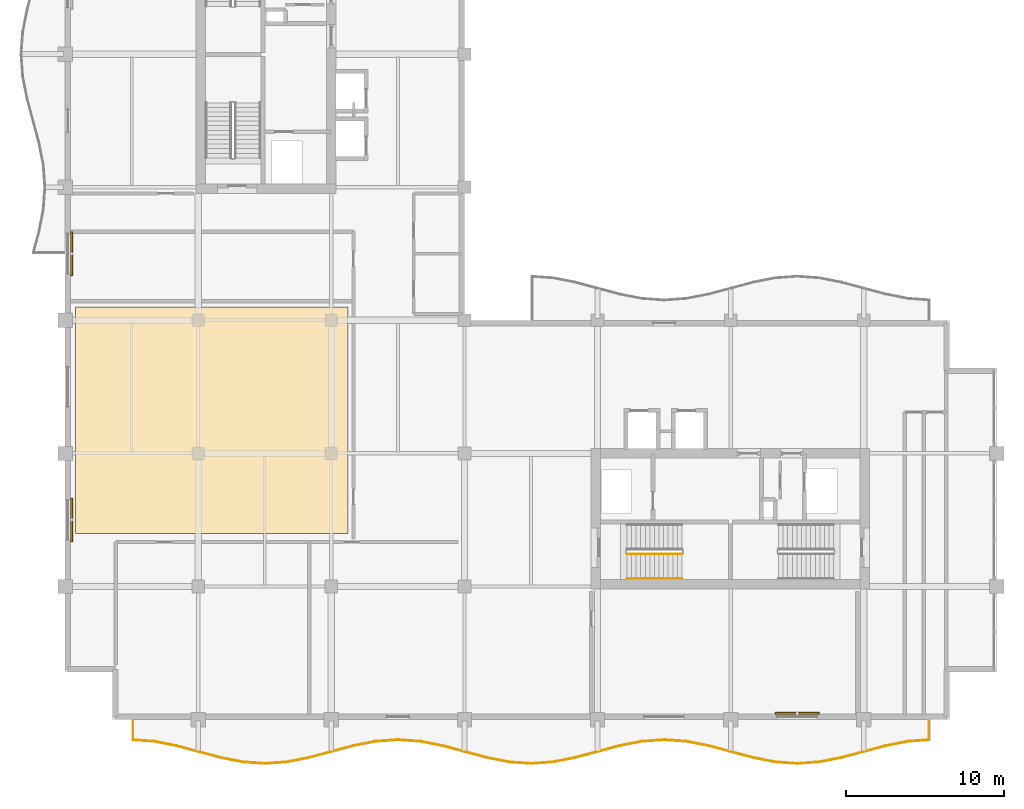
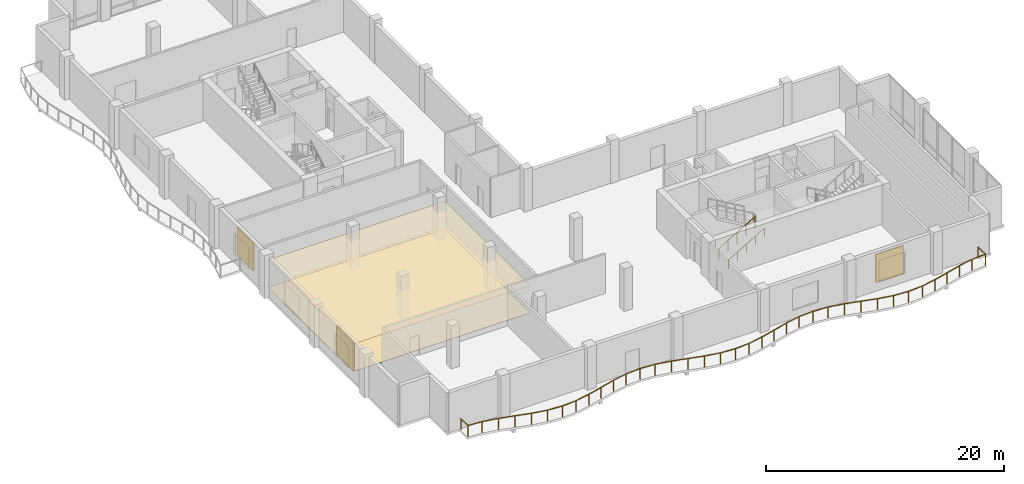
# One storey, part 13 of 15: 3 railings, 3 shading devices, 2 coverings.
"""IFC4 building model written with IfcOpenShell, lengths in metres."""

from ifc_helpers import new_model, si_unit, direction, frame, origin, origin_2d, place, context, subcontext, project, spatial, polyline, rectangle, circle, outline, extrude, material, layer, layer_set, type_object, element, save


model = new_model("IFC4")

# Units and contexts
model_context = context("Model", 3, precision=1e-05, world=origin(), true_north=direction((0.0, 1.0)))
body_context = subcontext(model_context, "Body", "Model", "MODEL_VIEW")
ifc_project = project(units=[si_unit("LENGTHUNIT", "METRE"), si_unit("AREAUNIT", "SQUARE_METRE"), si_unit("VOLUMEUNIT", "CUBIC_METRE"), si_unit("PLANEANGLEUNIT", "RADIAN"), si_unit("MASSUNIT", "GRAM", prefix="KILO")], contexts=[model_context])

# Site, building, storey
site_placement = place(None, origin())
site = spatial("IfcSite", under=ifc_project, at=site_placement, CompositionType="ELEMENT")
building_placement = place(site_placement, origin())
building = spatial("IfcBuilding", under=site, at=building_placement, Name="Koriwani Terraces Tower", CompositionType="ELEMENT")
storey_placement = place(building_placement, frame((0.0, 0.0, 290.39990234375)))
storey = spatial("IfcBuildingStorey", under=building, at=storey_placement, Name="L72", CompositionType="ELEMENT", Elevation=290.39990234375)

# Coverings
ifc_material_1 = material(Name="Fire-Rated Acoustic Gypsum Partition", Category="masonry")
ifc_layer_1 = layer(ifc_material_1, 0.02490234375, Name="Fire-Rated Acoustic Gypsum Partition")
ifc_layer_set_1 = layer_set([ifc_layer_1], Name="Fire-Rated Acoustic Gypsum Partition")
covering_type_1 = type_object("IfcCoveringType", Name="CEILING_ACOUSTIC_GYPSUM", PredefinedType="CEILING", material=ifc_layer_set_1)
covering_1_placement = place(storey_placement, frame((0.0, 0.0, 2.8251953125)))
element("IfcCovering", 1, at=covering_1_placement, inside=storey, type_object=covering_type_1, Name="L72 Suspended Acoustic Gypsum Ceiling", PredefinedType="CEILING", context=body_context, shape_type="SweptSolid", body=[
    extrude(outline(polyline([(9.050048828125, 20.14990234375), (9.050048828125, 34.449951171875), (26.25, 34.449951171875), (26.25, 20.14990234375), (9.050048828125, 20.14990234375)])), origin(), (0.0, 0.0, 1.0), 0.02490234375),
])
ifc_material_2 = material(Name="Polished Andean Slate Flooring", Category="masonry")
ifc_layer_2 = layer(ifc_material_2, 0.030029296875, Name="Polished Andean Slate Flooring")
ifc_layer_set_2 = layer_set([ifc_layer_2], Name="Polished Andean Slate Flooring")
covering_type_2 = type_object("IfcCoveringType", Name="FLOORING_ANDEAN_STONE", PredefinedType="FLOORING", material=ifc_layer_set_2)
covering_2_placement = place(storey_placement, origin())
element("IfcCovering", 2, at=covering_2_placement, inside=storey, type_object=covering_type_2, Name="L72 Polished Andean Slate Floor Finish", PredefinedType="FLOORING", context=body_context, shape_type="SweptSolid", body=[
    extrude(outline(polyline([(9.050048828125, 20.14990234375), (9.050048828125, 34.449951171875), (26.25, 34.449951171875), (26.25, 20.14990234375), (9.050048828125, 20.14990234375)])), origin(), (0.0, 0.0, 1.0), 0.030029296875),
])

# Railings
ifc_material_3 = material(Name="Steel ASTM A572 Grade 50", Category="steel")
railing_type_1 = type_object("IfcRailingType", Name="GUARD_BALUSTRADE_1150", PredefinedType="BALUSTRADE", material=ifc_material_3)
railing_1_placement = place(storey_placement, frame((12.679931640625, 8.320068359375, 0.0)))
element("IfcRailing", 3, at=railing_1_placement, inside=storey, type_object=railing_type_1, Name="L72 Balcony Perimeter Safety Balustrade (S)", PredefinedType="BALUSTRADE", context=body_context, shape_type="SweptSolid", body=[
    extrude(circle(Radius=0.02392578125, at=origin_2d()), frame((0.0, 0.0, 1.1259765625), z_axis=(0.0, -1.0, 0.0), x_axis=(1.0, 0.0, 0.0)), (0.0, 0.0, 1.0), 1.195556640625),
    extrude(circle(Radius=0.02392578125, at=origin_2d()), frame((0.0, -1.195556640625, 1.1259765625), z_axis=(0.997410163072, -0.071923338365, 0.0), x_axis=(0.071923338365, 0.997410163072, 0.0)), (0.0, 0.0, 1.0), 1.333984375),
    extrude(circle(Radius=0.02392578125, at=origin_2d()), frame((1.33056640625, -1.29150390625, 1.1259765625), z_axis=(0.981358469957, -0.192186246762, 0.0), x_axis=(0.192186246762, 0.981358469957, 0.0)), (0.0, 0.0, 1.0), 1.434326171875),
    extrude(circle(Radius=0.02392578125, at=origin_2d()), frame((2.738037109375, -1.567138671875, 1.1259765625), z_axis=(0.96594917914, -0.258731875344, 0.0), x_axis=(0.258731875344, 0.96594917914, 0.0)), (0.0, 0.0, 1.0), 2.898681640625),
    extrude(circle(Radius=0.02392578125, at=origin_2d()), frame((5.5380859375, -2.317138671875, 1.1259765625), z_axis=(0.981327760125, -0.192342993657, 0.0), x_axis=(0.192342993657, 0.981327760125, 0.0)), (0.0, 0.0, 1.0), 1.419189453125),
    extrude(circle(Radius=0.02392578125, at=origin_2d()), frame((6.9306640625, -2.590087890625, 1.1259765625), z_axis=(0.997427466293, -0.07168297904, 0.0), x_axis=(0.07168297904, 0.997427466293, 0.0)), (0.0, 0.0, 1.0), 1.39306640625),
    extrude(circle(Radius=0.02392578125, at=origin_2d()), frame((8.320068359375, -2.68994140625, 1.1259765625), z_axis=(0.997427466293, 0.07168297904, 0.0), x_axis=(-0.07168297904, 0.997427466293, 0.0)), (0.0, 0.0, 1.0), 1.39306640625),
    extrude(circle(Radius=0.02392578125, at=origin_2d()), frame((9.70947265625, -2.590087890625, 1.1259765625), z_axis=(0.981327760125, 0.192342993657, 0.0), x_axis=(-0.192342993657, 0.981327760125, 0.0)), (0.0, 0.0, 1.0), 1.419189453125),
    extrude(circle(Radius=0.02392578125, at=origin_2d()), frame((11.10205078125, -2.317138671875, 1.1259765625), z_axis=(0.96594917914, 0.258731875344, 0.0), x_axis=(-0.258731875344, 0.96594917914, 0.0)), (0.0, 0.0, 1.0), 2.898681640625),
    extrude(circle(Radius=0.02392578125, at=origin_2d()), frame((13.902099609375, -1.567138671875, 1.1259765625), z_axis=(0.981358469957, 0.192186246762, 0.0), x_axis=(-0.192186246762, 0.981358469957, 0.0)), (0.0, 0.0, 1.0), 1.434326171875),
    extrude(circle(Radius=0.02392578125, at=origin_2d()), frame((15.3095703125, -1.29150390625, 1.1259765625), z_axis=(0.997429695692, 0.071651951482, 0.0), x_axis=(-0.071651951482, 0.997429695692, 0.0)), (0.0, 0.0, 1.0), 1.4140625),
    extrude(circle(Radius=0.02392578125, at=origin_2d()), frame((16.719970703125, -1.190185546875, 1.1259765625), z_axis=(0.997430581876, -0.071639614309, 0.0), x_axis=(0.071639614309, 0.997430581876, 0.0)), (0.0, 0.0, 1.0), 1.414306640625),
    extrude(circle(Radius=0.02392578125, at=origin_2d()), frame((18.130615234375, -1.29150390625, 1.1259765625), z_axis=(0.981358469957, -0.192186246762, 0.0), x_axis=(0.192186246762, 0.981358469957, 0.0)), (0.0, 0.0, 1.0), 1.434326171875),
    extrude(circle(Radius=0.02392578125, at=origin_2d()), frame((19.5380859375, -1.567138671875, 1.1259765625), z_axis=(0.96594917914, -0.258731875344, 0.0), x_axis=(0.258731875344, 0.96594917914, 0.0)), (0.0, 0.0, 1.0), 2.898681640625),
    extrude(circle(Radius=0.02392578125, at=origin_2d()), frame((22.338134765625, -2.317138671875, 1.1259765625), z_axis=(0.981327760125, -0.192342993657, 0.0), x_axis=(0.192342993657, 0.981327760125, 0.0)), (0.0, 0.0, 1.0), 1.419189453125),
    extrude(circle(Radius=0.02392578125, at=origin_2d()), frame((23.730712890625, -2.590087890625, 1.1259765625), z_axis=(0.997427466293, -0.07168297904, 0.0), x_axis=(0.07168297904, 0.997427466293, 0.0)), (0.0, 0.0, 1.0), 1.39306640625),
    extrude(circle(Radius=0.02392578125, at=origin_2d()), frame((25.1201171875, -2.68994140625, 1.1259765625), z_axis=(0.997427466293, 0.07168297904, 0.0), x_axis=(-0.07168297904, 0.997427466293, 0.0)), (0.0, 0.0, 1.0), 1.39306640625),
    extrude(circle(Radius=0.02392578125, at=origin_2d()), frame((26.509521484375, -2.590087890625, 1.1259765625), z_axis=(0.981321393675, 0.19237547223, 0.0), x_axis=(-0.19237547223, 0.981321393675, 0.0)), (0.0, 0.0, 1.0), 1.4189453125),
    extrude(circle(Radius=0.02392578125, at=origin_2d()), frame((27.90185546875, -2.317138671875, 1.1259765625), z_axis=(0.965954816498, 0.258710827923, 0.0), x_axis=(-0.258710827923, 0.965954816498, 0.0)), (0.0, 0.0, 1.0), 2.89892578125),
    extrude(circle(Radius=0.02392578125, at=origin_2d()), frame((30.7021484375, -1.567138671875, 1.1259765625), z_axis=(0.981352180954, 0.192218357442, 0.0), x_axis=(-0.192218357442, 0.981352180954, 0.0)), (0.0, 0.0, 1.0), 1.43408203125),
    extrude(circle(Radius=0.02392578125, at=origin_2d()), frame((32.109375, -1.29150390625, 1.1259765625), z_axis=(0.997430581876, 0.071639614309, 0.0), x_axis=(-0.071639614309, 0.997430581876, 0.0)), (0.0, 0.0, 1.0), 1.414306640625),
    extrude(circle(Radius=0.02392578125, at=origin_2d()), frame((33.52001953125, -1.190185546875, 1.1259765625), z_axis=(0.997430581876, -0.071639614309, 0.0), x_axis=(0.071639614309, 0.997430581876, 0.0)), (0.0, 0.0, 1.0), 1.414306640625),
    extrude(circle(Radius=0.02392578125, at=origin_2d()), frame((34.9306640625, -1.29150390625, 1.1259765625), z_axis=(0.981358469957, -0.192186246762, 0.0), x_axis=(0.192186246762, 0.981358469957, 0.0)), (0.0, 0.0, 1.0), 1.434326171875),
    extrude(circle(Radius=0.02392578125, at=origin_2d()), frame((36.338134765625, -1.567138671875, 1.1259765625), z_axis=(0.96594917914, -0.258731875344, 0.0), x_axis=(0.258731875344, 0.96594917914, 0.0)), (0.0, 0.0, 1.0), 2.898681640625),
    extrude(circle(Radius=0.02392578125, at=origin_2d()), frame((39.13818359375, -2.317138671875, 1.1259765625), z_axis=(0.981327760125, -0.192342993657, 0.0), x_axis=(0.192342993657, 0.981327760125, 0.0)), (0.0, 0.0, 1.0), 1.419189453125),
    extrude(circle(Radius=0.02392578125, at=origin_2d()), frame((40.53076171875, -2.590087890625, 1.1259765625), z_axis=(0.997427466293, -0.07168297904, 0.0), x_axis=(0.07168297904, 0.997427466293, 0.0)), (0.0, 0.0, 1.0), 1.39306640625),
    extrude(circle(Radius=0.02392578125, at=origin_2d()), frame((41.920166015625, -2.68994140625, 1.1259765625), z_axis=(0.997427466293, 0.07168297904, 0.0), x_axis=(-0.07168297904, 0.997427466293, 0.0)), (0.0, 0.0, 1.0), 1.39306640625),
    extrude(circle(Radius=0.02392578125, at=origin_2d()), frame((43.3095703125, -2.590087890625, 1.1259765625), z_axis=(0.981321393675, 0.19237547223, 0.0), x_axis=(-0.19237547223, 0.981321393675, 0.0)), (0.0, 0.0, 1.0), 1.4189453125),
    extrude(circle(Radius=0.02392578125, at=origin_2d()), frame((44.701904296875, -2.317138671875, 1.1259765625), z_axis=(0.96594917914, 0.258731875344, 0.0), x_axis=(-0.258731875344, 0.96594917914, 0.0)), (0.0, 0.0, 1.0), 2.898681640625),
    extrude(circle(Radius=0.02392578125, at=origin_2d()), frame((47.501953125, -1.567138671875, 1.1259765625), z_axis=(0.981358469957, 0.192186246762, 0.0), x_axis=(-0.192186246762, 0.981358469957, 0.0)), (0.0, 0.0, 1.0), 1.434326171875),
    extrude(circle(Radius=0.02392578125, at=origin_2d()), frame((48.909423828125, -1.29150390625, 1.1259765625), z_axis=(0.997410163072, 0.071923338365, 0.0), x_axis=(-0.071923338365, 0.997410163072, 0.0)), (0.0, 0.0, 1.0), 1.333984375),
    extrude(circle(Radius=0.02392578125, at=origin_2d()), frame((50.239990234375, -1.195556640625, 1.1259765625), z_axis=(0.0, 1.0, 0.0), x_axis=(-1.0, 0.0, 0.0)), (0.0, 0.0, 1.0), 1.195556640625),
    extrude(circle(Radius=0.02099609375, at=origin_2d()), origin(), (0.0, 0.0, 1.0), 1.101806640625),
    extrude(circle(Radius=0.02099609375, at=origin_2d()), frame((0.0, -1.195556640625, 0.0)), (0.0, 0.0, 1.0), 1.101806640625),
    extrude(circle(Radius=0.02099609375, at=origin_2d()), frame((1.33056640625, -1.29150390625, 0.0)), (0.0, 0.0, 1.0), 1.101806640625),
    extrude(circle(Radius=0.02099609375, at=origin_2d()), frame((2.738037109375, -1.567138671875, 0.0)), (0.0, 0.0, 1.0), 1.101806640625),
    extrude(circle(Radius=0.02099609375, at=origin_2d()), frame((4.13818359375, -1.942138671875, 0.0)), (0.0, 0.0, 1.0), 1.101806640625),
    extrude(circle(Radius=0.02099609375, at=origin_2d()), frame((5.5380859375, -2.317138671875, 0.0)), (0.0, 0.0, 1.0), 1.101806640625),
    extrude(circle(Radius=0.02099609375, at=origin_2d()), frame((6.9306640625, -2.590087890625, 0.0)), (0.0, 0.0, 1.0), 1.101806640625),
    extrude(circle(Radius=0.02099609375, at=origin_2d()), frame((8.320068359375, -2.68994140625, 0.0)), (0.0, 0.0, 1.0), 1.101806640625),
    extrude(circle(Radius=0.02099609375, at=origin_2d()), frame((9.70947265625, -2.590087890625, 0.0)), (0.0, 0.0, 1.0), 1.101806640625),
    extrude(circle(Radius=0.02099609375, at=origin_2d()), frame((11.10205078125, -2.317138671875, 0.0)), (0.0, 0.0, 1.0), 1.101806640625),
    extrude(circle(Radius=0.02099609375, at=origin_2d()), frame((12.501953125, -1.942138671875, 0.0)), (0.0, 0.0, 1.0), 1.101806640625),
    extrude(circle(Radius=0.02099609375, at=origin_2d()), frame((13.902099609375, -1.567138671875, 0.0)), (0.0, 0.0, 1.0), 1.101806640625),
    extrude(circle(Radius=0.02099609375, at=origin_2d()), frame((15.3095703125, -1.29150390625, 0.0)), (0.0, 0.0, 1.0), 1.101806640625),
    extrude(circle(Radius=0.02099609375, at=origin_2d()), frame((16.719970703125, -1.190185546875, 0.0)), (0.0, 0.0, 1.0), 1.101806640625),
    extrude(circle(Radius=0.02099609375, at=origin_2d()), frame((18.130615234375, -1.29150390625, 0.0)), (0.0, 0.0, 1.0), 1.101806640625),
    extrude(circle(Radius=0.02099609375, at=origin_2d()), frame((19.5380859375, -1.567138671875, 0.0)), (0.0, 0.0, 1.0), 1.101806640625),
    extrude(circle(Radius=0.02099609375, at=origin_2d()), frame((20.93798828125, -1.942138671875, 0.0)), (0.0, 0.0, 1.0), 1.101806640625),
    extrude(circle(Radius=0.02099609375, at=origin_2d()), frame((22.338134765625, -2.317138671875, 0.0)), (0.0, 0.0, 1.0), 1.101806640625),
    extrude(circle(Radius=0.02099609375, at=origin_2d()), frame((23.730712890625, -2.590087890625, 0.0)), (0.0, 0.0, 1.0), 1.101806640625),
    extrude(circle(Radius=0.02099609375, at=origin_2d()), frame((25.1201171875, -2.68994140625, 0.0)), (0.0, 0.0, 1.0), 1.101806640625),
    extrude(circle(Radius=0.02099609375, at=origin_2d()), frame((26.509521484375, -2.590087890625, 0.0)), (0.0, 0.0, 1.0), 1.101806640625),
    extrude(circle(Radius=0.02099609375, at=origin_2d()), frame((27.90185546875, -2.317138671875, 0.0)), (0.0, 0.0, 1.0), 1.101806640625),
    extrude(circle(Radius=0.02099609375, at=origin_2d()), frame((29.302001953125, -1.942138671875, 0.0)), (0.0, 0.0, 1.0), 1.101806640625),
    extrude(circle(Radius=0.02099609375, at=origin_2d()), frame((30.7021484375, -1.567138671875, 0.0)), (0.0, 0.0, 1.0), 1.101806640625),
    extrude(circle(Radius=0.02099609375, at=origin_2d()), frame((32.109375, -1.29150390625, 0.0)), (0.0, 0.0, 1.0), 1.101806640625),
    extrude(circle(Radius=0.02099609375, at=origin_2d()), frame((33.52001953125, -1.190185546875, 0.0)), (0.0, 0.0, 1.0), 1.101806640625),
    extrude(circle(Radius=0.02099609375, at=origin_2d()), frame((34.9306640625, -1.29150390625, 0.0)), (0.0, 0.0, 1.0), 1.101806640625),
    extrude(circle(Radius=0.02099609375, at=origin_2d()), frame((36.338134765625, -1.567138671875, 0.0)), (0.0, 0.0, 1.0), 1.101806640625),
    extrude(circle(Radius=0.02099609375, at=origin_2d()), frame((37.73828125, -1.942138671875, 0.0)), (0.0, 0.0, 1.0), 1.101806640625),
    extrude(circle(Radius=0.02099609375, at=origin_2d()), frame((39.13818359375, -2.317138671875, 0.0)), (0.0, 0.0, 1.0), 1.101806640625),
    extrude(circle(Radius=0.02099609375, at=origin_2d()), frame((40.53076171875, -2.590087890625, 0.0)), (0.0, 0.0, 1.0), 1.101806640625),
    extrude(circle(Radius=0.02099609375, at=origin_2d()), frame((41.920166015625, -2.68994140625, 0.0)), (0.0, 0.0, 1.0), 1.101806640625),
    extrude(circle(Radius=0.02099609375, at=origin_2d()), frame((43.3095703125, -2.590087890625, 0.0)), (0.0, 0.0, 1.0), 1.101806640625),
    extrude(circle(Radius=0.02099609375, at=origin_2d()), frame((44.701904296875, -2.317138671875, 0.0)), (0.0, 0.0, 1.0), 1.101806640625),
    extrude(circle(Radius=0.02099609375, at=origin_2d()), frame((46.10205078125, -1.942138671875, 0.0)), (0.0, 0.0, 1.0), 1.101806640625),
    extrude(circle(Radius=0.02099609375, at=origin_2d()), frame((47.501953125, -1.567138671875, 0.0)), (0.0, 0.0, 1.0), 1.101806640625),
    extrude(circle(Radius=0.02099609375, at=origin_2d()), frame((48.909423828125, -1.29150390625, 0.0)), (0.0, 0.0, 1.0), 1.101806640625),
    extrude(circle(Radius=0.02099609375, at=origin_2d()), frame((50.239990234375, -1.195556640625, 0.0)), (0.0, 0.0, 1.0), 1.101806640625),
    extrude(circle(Radius=0.02099609375, at=origin_2d()), frame((50.239990234375, 0.0, 0.0)), (0.0, 0.0, 1.0), 1.101806640625),
])
railing_type_2 = type_object("IfcRailingType", Name="GUARD_STAIR_WELL_1120", PredefinedType="GUARDRAIL", material=ifc_material_3)
railing_2_placement = place(storey_placement, frame((43.85009765625, 18.85009765625, 0.16943359375)))
element("IfcRailing", 4, at=railing_2_placement, inside=storey, type_object=railing_type_2, Name="L72 ST-E1 stair guard 1", PredefinedType="GUARDRAIL", context=body_context, shape_type="SweptSolid", body=[
    extrude(circle(Radius=0.02392578125, at=origin_2d()), frame((0.0, 0.0, 1.1259765625), z_axis=(0.863695377172, 0.0, 0.504014181796), x_axis=(0.0, 1.0, 0.0)), (0.0, 0.0, 1.0), 4.029296875),
    extrude(circle(Radius=0.02099609375, at=origin_2d()), origin(), (0.0, 0.0, 1.0), 1.101806640625),
    extrude(circle(Radius=0.02099609375, at=origin_2d()), frame((0.8701171875, 0.0, 0.5078125)), (0.0, 0.0, 1.0), 1.101806640625),
    extrude(circle(Radius=0.02099609375, at=origin_2d()), frame((1.739990234375, 0.0, 1.015380859375)), (0.0, 0.0, 1.0), 1.101806640625),
    extrude(circle(Radius=0.02099609375, at=origin_2d()), frame((2.60986328125, 0.0, 1.52294921875)), (0.0, 0.0, 1.0), 1.101806640625),
    extrude(circle(Radius=0.02099609375, at=origin_2d()), frame((3.47998046875, 0.0, 2.03076171875)), (0.0, 0.0, 1.0), 1.101806640625),
])
railing_type_3 = type_object("IfcRailingType", Name="HANDRAIL_STAIR_920", PredefinedType="HANDRAIL", material=ifc_material_3)
railing_3_placement = place(storey_placement, frame((43.85009765625, 17.300048828125, 0.16943359375)))
element("IfcRailing", 5, at=railing_3_placement, inside=storey, type_object=railing_type_3, Name="L72 ST-E1 stair handrail 1", PredefinedType="HANDRAIL", context=body_context, shape_type="SweptSolid", body=[
    extrude(circle(Radius=0.02392578125, at=origin_2d()), frame((0.0, 0.0, 0.8759765625), z_axis=(0.863695377172, 0.0, 0.504014181796), x_axis=(0.0, 1.0, 0.0)), (0.0, 0.0, 1.0), 4.029296875),
    extrude(circle(Radius=0.02099609375, at=origin_2d()), origin(), (0.0, 0.0, 1.0), 0.851806640625),
    extrude(circle(Radius=0.02099609375, at=origin_2d()), frame((0.8701171875, 0.0, 0.5078125)), (0.0, 0.0, 1.0), 0.851806640625),
    extrude(circle(Radius=0.02099609375, at=origin_2d()), frame((1.739990234375, 0.0, 1.015380859375)), (0.0, 0.0, 1.0), 0.851806640625),
    extrude(circle(Radius=0.02099609375, at=origin_2d()), frame((2.60986328125, 0.0, 1.52294921875)), (0.0, 0.0, 1.0), 0.851806640625),
    extrude(circle(Radius=0.02099609375, at=origin_2d()), frame((3.47998046875, 0.0, 2.03076171875)), (0.0, 0.0, 1.0), 0.851806640625),
])

# Shading devices
ifc_material_4 = material(Name="Extruded Terracotta Clay", Category="masonry")
ifc_layer_3 = layer(ifc_material_4, 0.1201171875, Name="Extruded Terracotta Clay")
ifc_layer_set_3 = layer_set([ifc_layer_3], Name="Extruded Terracotta Clay")
shading_device_type = type_object("IfcShadingDeviceType", Name="TERRACOTTA_BAGUETTE_SCREEN_2800", PredefinedType="USERDEFINED", material=ifc_layer_set_3)
for number, where, z_axis, x_axis, name in (
    (6, (8.804931640625, 21.0, 0.5751953125), (0.0, 0.0, 1.0), (0.0, 1.0, 0.0), "L72 Extruded Terracotta Baguette Screen (W-3)"),
    (7, (8.804931640625, 37.800048828125, 0.5751953125), (0.0, 0.0, 1.0), (0.0, 1.0, 0.0), "L72 Extruded Terracotta Baguette Screen (W-9)"),
    (8, (54.60009765625, 8.804931640625, 0.5751953125), (0.0, 0.0, 1.0), (-1.0, 0.0, 0.0), "L72 Extruded Terracotta Baguette Screen (S-15)"),
):
    element("IfcShadingDevice", number, at=place(storey_placement, frame(where, z_axis=z_axis, x_axis=x_axis)), inside=storey, type_object=shading_device_type, Name=name, ObjectType="BAGUETTE", PredefinedType="USERDEFINED", context=body_context, shape_type="SweptSolid", body=[
        extrude(rectangle(XDim=2.760009765625, YDim=0.1201171875, at=origin_2d()), origin(), (0.0, 0.0, 1.0), 2.89990234375),
    ])

save(model, "model.ifc")
